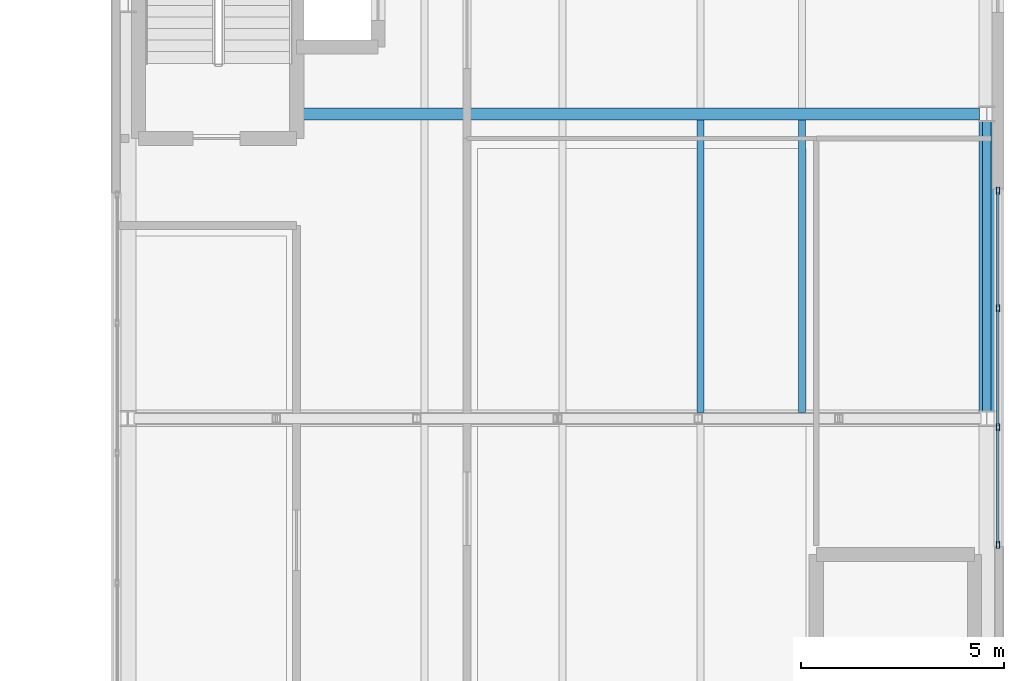
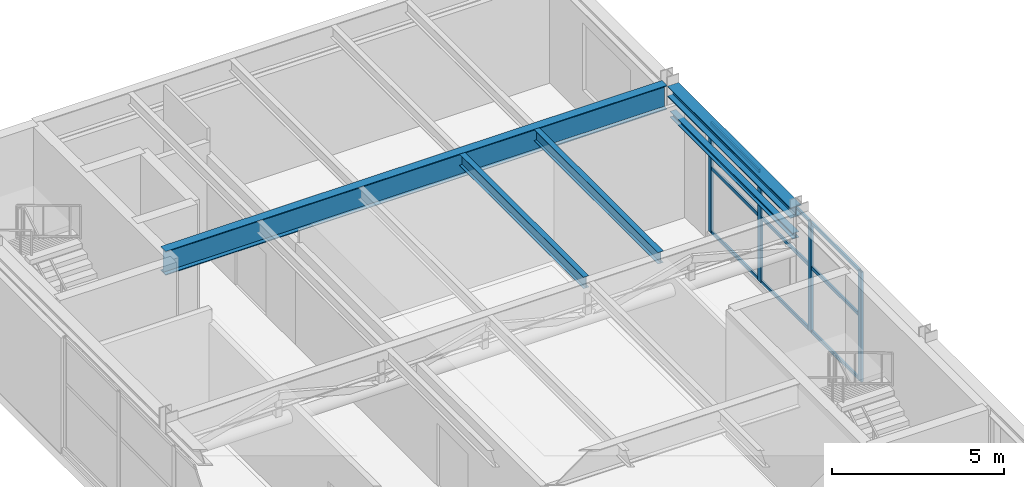
# One storey, part 17 of 29: 13 members, 5 beams, 1 element without a shape of its own.
"""IFC4 building model written with IfcOpenShell, lengths in metres."""

from ifc_helpers import new_model, si_unit, direction, frame, origin, origin_2d, place, context, subcontext, project, spatial, hollow_rectangle, i_section, extrude, material, layer, layer_set, material_profile, profile_set, type_object, element, aggregate, save


model = new_model("IFC4")

# Units and contexts
model_context = context("Model", 3, precision=1e-05, world=origin(), true_north=direction((0.0, 1.0)))
body_context = subcontext(model_context, "Body", "Model", "MODEL_VIEW")
ifc_project = project(units=[si_unit("LENGTHUNIT", "METRE"), si_unit("AREAUNIT", "SQUARE_METRE"), si_unit("VOLUMEUNIT", "CUBIC_METRE"), si_unit("PLANEANGLEUNIT", "RADIAN"), si_unit("MASSUNIT", "GRAM", prefix="KILO")], contexts=[model_context])

# Site, building, storey
site_placement = place(None, origin())
site = spatial("IfcSite", under=ifc_project, at=site_placement, CompositionType="ELEMENT")
building_placement = place(site_placement, origin())
building = spatial("IfcBuilding", under=site, at=building_placement, Name="Mersakhor Tower and Convention Hall", CompositionType="ELEMENT")
storey_placement = place(building_placement, frame((0.0, 0.0, 9.60009765625)))
storey = spatial("IfcBuildingStorey", under=building, at=storey_placement, Name="L02", CompositionType="ELEMENT", Elevation=9.60009765625)

# Beams
ifc_material_1 = material(Name="Steel S355", Category="steel")
ifc_material_profile_1 = material_profile(ifc_material_1, i_section(OverallWidth=0.1787109375, OverallDepth=0.409423828125, WebThickness=0.0087890625, FlangeThickness=0.014404296875, at=origin_2d()), Name="UB 406x178x67")
ifc_profile_set_1 = profile_set([ifc_material_profile_1], Name="Steel S355")
beam_type_1 = type_object("IfcBeamType", Name="BM-JST-406", PredefinedType="JOIST", material=ifc_profile_set_1)
for number, where, z_axis, x_axis, name in (
    (1, (69.60009765625, 33.39697265625, 4.275146484375), (0.0, 1.0, 0.0), (-1.0, 0.0, 0.0), "Convention L02 Composite Floor Joist CJ-5-69"),
    (2, (72.10009765625, 33.39697265625, 4.275146484375), (0.0, 1.0, 0.0), (-1.0, 0.0, 0.0), "Convention L02 Composite Floor Joist CJ-5-72"),
):
    element("IfcBeam", number, at=place(storey_placement, frame(where, z_axis=z_axis, x_axis=x_axis)), inside=storey, type_object=beam_type_1, Name=name, PredefinedType="JOIST", context=body_context, shape_type="SweptSolid", body=[
        extrude(i_section(OverallWidth=0.1787109375, OverallDepth=0.409423828125, WebThickness=0.0087890625, FlangeThickness=0.014404296875, at=origin_2d()), origin(), (0.0, 0.0, 1.0), 7.2060546875),
    ])
ifc_material_2 = material(Name="Steel S355", Category="steel")
ifc_material_profile_2 = material_profile(ifc_material_2, i_section(OverallWidth=0.205810546875, OverallDepth=0.209716796875, WebThickness=0.009521484375, FlangeThickness=0.01416015625, at=origin_2d()), Name="UC 203x203x60")
ifc_profile_set_2 = profile_set([ifc_material_profile_2], Name="Steel S355")
beam_type_2 = type_object("IfcBeamType", Name="BM-LNT-UC203", PredefinedType="LINTEL", material=ifc_profile_set_2)
beam_1_placement = place(storey_placement, frame((76.64990234375, 33.429931640625, 3.449951171875), z_axis=(0.0, 1.0, 0.0), x_axis=(-1.0, 0.0, 0.0)))
element("IfcBeam", 3, at=beam_1_placement, inside=storey, type_object=beam_type_2, Name="Convention L02 Opening Lintel Beam LNT-5", PredefinedType="LINTEL", context=body_context, shape_type="SweptSolid", body=[
    extrude(i_section(OverallWidth=0.205810546875, OverallDepth=0.209716796875, WebThickness=0.009521484375, FlangeThickness=0.01416015625, at=origin_2d()), origin(), (0.0, 0.0, 1.0), 7.14013671875),
])
ifc_material_3 = material(Name="Steel S355", Category="steel")
ifc_material_profile_3 = material_profile(ifc_material_3, i_section(OverallWidth=0.293701171875, OverallDepth=0.850830078125, WebThickness=0.01611328125, FlangeThickness=0.02685546875, at=origin_2d()), Name="UB 838x292x226")
ifc_profile_set_3 = profile_set([ifc_material_profile_3], Name="Steel S355")
beam_type_3 = type_object("IfcBeamType", Name="BM-PR-838", PredefinedType="BEAM", material=ifc_profile_set_3)
beam_2_placement = place(storey_placement, frame((59.64990234375, 40.75, 4.054443359375), z_axis=(1.0, 0.0, 0.0), x_axis=(0.0, 1.0, 0.0)))
element("IfcBeam", 4, at=beam_2_placement, inside=storey, type_object=beam_type_3, Name="Convention L02 Clear-Span Girder CG-6", PredefinedType="BEAM", context=body_context, shape_type="SweptSolid", body=[
    extrude(i_section(OverallWidth=0.293701171875, OverallDepth=0.850830078125, WebThickness=0.01611328125, FlangeThickness=0.02685546875, at=origin_2d()), origin(), (0.0, 0.0, 1.0), 16.820068359375),
])
ifc_material_4 = material(Name="Steel S355", Category="steel")
ifc_material_profile_4 = material_profile(ifc_material_4, i_section(OverallWidth=0.374755859375, OverallDepth=0.37451171875, WebThickness=0.0166015625, FlangeThickness=0.027099609375, at=origin_2d()), Name="UC 356x368x202")
ifc_profile_set_4 = profile_set([ifc_material_profile_4], Name="Steel S355")
beam_type_4 = type_object("IfcBeamType", Name="BM-SPD-UC356", PredefinedType="SPANDREL", material=ifc_profile_set_4)
beam_3_placement = place(storey_placement, frame((76.64990234375, 33.429931640625, 4.29296875), z_axis=(0.0, 1.0, 0.0), x_axis=(-1.0, 0.0, 0.0)))
element("IfcBeam", 5, at=beam_3_placement, inside=storey, type_object=beam_type_4, Name="Convention L02 Edge Spandrel E5", PredefinedType="SPANDREL", context=body_context, shape_type="SweptSolid", body=[
    extrude(i_section(OverallWidth=0.374755859375, OverallDepth=0.37451171875, WebThickness=0.0166015625, FlangeThickness=0.027099609375, at=origin_2d()), origin(), (0.0, 0.0, 1.0), 7.14013671875),
])

# Curtain wall, members
ifc_material_5 = material(Name="Dark solar low-E aluminium curtain wall", Category="aluminium")
ifc_layer = layer(ifc_material_5, 0.219970703125)
ifc_layer_set = layer_set([ifc_layer], Name="Dark solar low-E aluminium curtain wall")
curtain_wall_type = type_object("IfcCurtainWallType", Name="CW-SYS-07", PredefinedType="USERDEFINED", material=ifc_layer_set)
curtain_wall_placement = place(storey_placement, origin())
curtain_wall = element("IfcCurtainWall", 6, at=curtain_wall_placement, inside=storey, type_object=curtain_wall_type, Name="Convention L02 East Curtain Wall", ObjectType="CURTAIN WALL", PredefinedType="USERDEFINED")
ifc_material_6 = material(Name="Anodised aluminium EN AW-6063 T6", Category="aluminium")
ifc_material_profile_5 = material_profile(ifc_material_6, hollow_rectangle(XDim=0.080078125, YDim=0.179931640625, WallThickness=0.008056640625, at=origin_2d()), Name="RHS 180x80x8")
ifc_profile_set_5 = profile_set([ifc_material_profile_5], Name="Anodised aluminium EN AW-6063 T6")
member_type_1 = type_object("IfcMemberType", Name="CWM-180x80", PredefinedType="MULLION", material=ifc_profile_set_5)
member_1_placement = place(storey_placement, frame((76.925048828125, 38.860107421875, 0.199951171875), z_axis=(0.0, 0.0, 1.0), x_axis=(1.0, 0.0, 0.0)))
member_1 = element("IfcMember", 7, at=member_1_placement, type_object=member_type_1, Name="CW-07 mullion 1", PredefinedType="MULLION", context=body_context, shape_type="SweptSolid", body=[
    extrude(hollow_rectangle(XDim=0.080078125, YDim=0.179931640625, WallThickness=0.008056640625, at=origin_2d()), origin(), (0.0, 0.0, 1.0), 3.89990234375),
])
member_2_placement = place(storey_placement, frame((76.925048828125, 35.966552734375, 0.199951171875), z_axis=(0.0, 0.0, 1.0), x_axis=(1.0, 0.0, 0.0)))
member_2 = element("IfcMember", 8, at=member_2_placement, type_object=member_type_1, Name="CW-07 mullion 2", PredefinedType="MULLION", context=body_context, shape_type="SweptSolid", body=[
    extrude(hollow_rectangle(XDim=0.080078125, YDim=0.179931640625, WallThickness=0.008056640625, at=origin_2d()), origin(), (0.0, 0.0, 1.0), 3.89990234375),
])
member_3_placement = place(storey_placement, frame((76.925048828125, 33.033447265625, 0.199951171875), z_axis=(0.0, 0.0, 1.0), x_axis=(1.0, 0.0, 0.0)))
member_3 = element("IfcMember", 9, at=member_3_placement, type_object=member_type_1, Name="CW-07 mullion 3", PredefinedType="MULLION", context=body_context, shape_type="SweptSolid", body=[
    extrude(hollow_rectangle(XDim=0.080078125, YDim=0.179931640625, WallThickness=0.008056640625, at=origin_2d()), origin(), (0.0, 0.0, 1.0), 3.89990234375),
])
member_4_placement = place(storey_placement, frame((76.925048828125, 30.139892578125, 0.199951171875), z_axis=(0.0, 0.0, 1.0), x_axis=(1.0, 0.0, 0.0)))
member_4 = element("IfcMember", 10, at=member_4_placement, type_object=member_type_1, Name="CW-07 mullion 4", PredefinedType="MULLION", context=body_context, shape_type="SweptSolid", body=[
    extrude(hollow_rectangle(XDim=0.080078125, YDim=0.179931640625, WallThickness=0.008056640625, at=origin_2d()), origin(), (0.0, 0.0, 1.0), 3.89990234375),
])
ifc_material_7 = material(Name="Anodised aluminium EN AW-6063 T6", Category="aluminium")
ifc_material_profile_6 = material_profile(ifc_material_7, hollow_rectangle(XDim=0.06005859375, YDim=0.1201171875, WallThickness=0.0048828125, at=origin_2d()), Name="RHS 120x60x5")
ifc_profile_set_6 = profile_set([ifc_material_profile_6], Name="Anodised aluminium EN AW-6063 T6")
member_type_2 = type_object("IfcMemberType", Name="CWT-120x60", PredefinedType="USERDEFINED", material=ifc_profile_set_6)
member_5_placement = place(storey_placement, frame((76.925048828125, 38.820068359375, 0.22998046875), z_axis=(0.0, -1.0, 0.0), x_axis=(1.0, 0.0, 0.0)))
member_5 = element("IfcMember", 11, at=member_5_placement, type_object=member_type_2, Name="CW-07 transom 1.1", ObjectType="TRANSOM", PredefinedType="USERDEFINED", context=body_context, shape_type="SweptSolid", body=[
    extrude(hollow_rectangle(XDim=0.06005859375, YDim=0.1201171875, WallThickness=0.0048828125, at=origin_2d()), origin(), (0.0, 0.0, 1.0), 2.8134765625),
])
member_6_placement = place(storey_placement, frame((76.925048828125, 38.820068359375, 2.5), z_axis=(0.0, -1.0, 0.0), x_axis=(1.0, 0.0, 0.0)))
member_6 = element("IfcMember", 12, at=member_6_placement, type_object=member_type_2, Name="CW-07 transom 1.2", ObjectType="TRANSOM", PredefinedType="USERDEFINED", context=body_context, shape_type="SweptSolid", body=[
    extrude(hollow_rectangle(XDim=0.06005859375, YDim=0.1201171875, WallThickness=0.0048828125, at=origin_2d()), origin(), (0.0, 0.0, 1.0), 2.8134765625),
])
member_7_placement = place(storey_placement, frame((76.925048828125, 38.820068359375, 4.06982421875), z_axis=(0.0, -1.0, 0.0), x_axis=(1.0, 0.0, 0.0)))
member_7 = element("IfcMember", 13, at=member_7_placement, type_object=member_type_2, Name="CW-07 transom 1.3", ObjectType="TRANSOM", PredefinedType="USERDEFINED", context=body_context, shape_type="SweptSolid", body=[
    extrude(hollow_rectangle(XDim=0.06005859375, YDim=0.1201171875, WallThickness=0.0048828125, at=origin_2d()), origin(), (0.0, 0.0, 1.0), 2.8134765625),
])
member_8_placement = place(storey_placement, frame((76.925048828125, 35.9267578125, 0.22998046875), z_axis=(0.0, -1.0, 0.0), x_axis=(1.0, 0.0, 0.0)))
member_8 = element("IfcMember", 14, at=member_8_placement, type_object=member_type_2, Name="CW-07 transom 2.1", ObjectType="TRANSOM", PredefinedType="USERDEFINED", context=body_context, shape_type="SweptSolid", body=[
    extrude(hollow_rectangle(XDim=0.06005859375, YDim=0.1201171875, WallThickness=0.0048828125, at=origin_2d()), origin(), (0.0, 0.0, 1.0), 2.853515625),
])
member_9_placement = place(storey_placement, frame((76.925048828125, 35.9267578125, 2.5), z_axis=(0.0, -1.0, 0.0), x_axis=(1.0, 0.0, 0.0)))
member_9 = element("IfcMember", 15, at=member_9_placement, type_object=member_type_2, Name="CW-07 transom 2.2", ObjectType="TRANSOM", PredefinedType="USERDEFINED", context=body_context, shape_type="SweptSolid", body=[
    extrude(hollow_rectangle(XDim=0.06005859375, YDim=0.1201171875, WallThickness=0.0048828125, at=origin_2d()), origin(), (0.0, 0.0, 1.0), 2.853515625),
])
member_10_placement = place(storey_placement, frame((76.925048828125, 35.9267578125, 4.06982421875), z_axis=(0.0, -1.0, 0.0), x_axis=(1.0, 0.0, 0.0)))
member_10 = element("IfcMember", 16, at=member_10_placement, type_object=member_type_2, Name="CW-07 transom 2.3", ObjectType="TRANSOM", PredefinedType="USERDEFINED", context=body_context, shape_type="SweptSolid", body=[
    extrude(hollow_rectangle(XDim=0.06005859375, YDim=0.1201171875, WallThickness=0.0048828125, at=origin_2d()), origin(), (0.0, 0.0, 1.0), 2.853515625),
])
member_11_placement = place(storey_placement, frame((76.925048828125, 32.993408203125, 0.22998046875), z_axis=(0.0, -1.0, 0.0), x_axis=(1.0, 0.0, 0.0)))
member_11 = element("IfcMember", 17, at=member_11_placement, type_object=member_type_2, Name="CW-07 transom 3.1", ObjectType="TRANSOM", PredefinedType="USERDEFINED", context=body_context, shape_type="SweptSolid", body=[
    extrude(hollow_rectangle(XDim=0.06005859375, YDim=0.1201171875, WallThickness=0.0048828125, at=origin_2d()), origin(), (0.0, 0.0, 1.0), 2.8134765625),
])
member_12_placement = place(storey_placement, frame((76.925048828125, 32.993408203125, 2.5), z_axis=(0.0, -1.0, 0.0), x_axis=(1.0, 0.0, 0.0)))
member_12 = element("IfcMember", 18, at=member_12_placement, type_object=member_type_2, Name="CW-07 transom 3.2", ObjectType="TRANSOM", PredefinedType="USERDEFINED", context=body_context, shape_type="SweptSolid", body=[
    extrude(hollow_rectangle(XDim=0.06005859375, YDim=0.1201171875, WallThickness=0.0048828125, at=origin_2d()), origin(), (0.0, 0.0, 1.0), 2.8134765625),
])
member_13_placement = place(storey_placement, frame((76.925048828125, 32.993408203125, 4.06982421875), z_axis=(0.0, -1.0, 0.0), x_axis=(1.0, 0.0, 0.0)))
member_13 = element("IfcMember", 19, at=member_13_placement, type_object=member_type_2, Name="CW-07 transom 3.3", ObjectType="TRANSOM", PredefinedType="USERDEFINED", context=body_context, shape_type="SweptSolid", body=[
    extrude(hollow_rectangle(XDim=0.06005859375, YDim=0.1201171875, WallThickness=0.0048828125, at=origin_2d()), origin(), (0.0, 0.0, 1.0), 2.8134765625),
])
aggregate(curtain_wall, [member_1, member_2, member_3, member_4, member_5, member_6, member_7, member_8, member_9, member_10, member_11, member_12, member_13])

save(model, "model.ifc")
